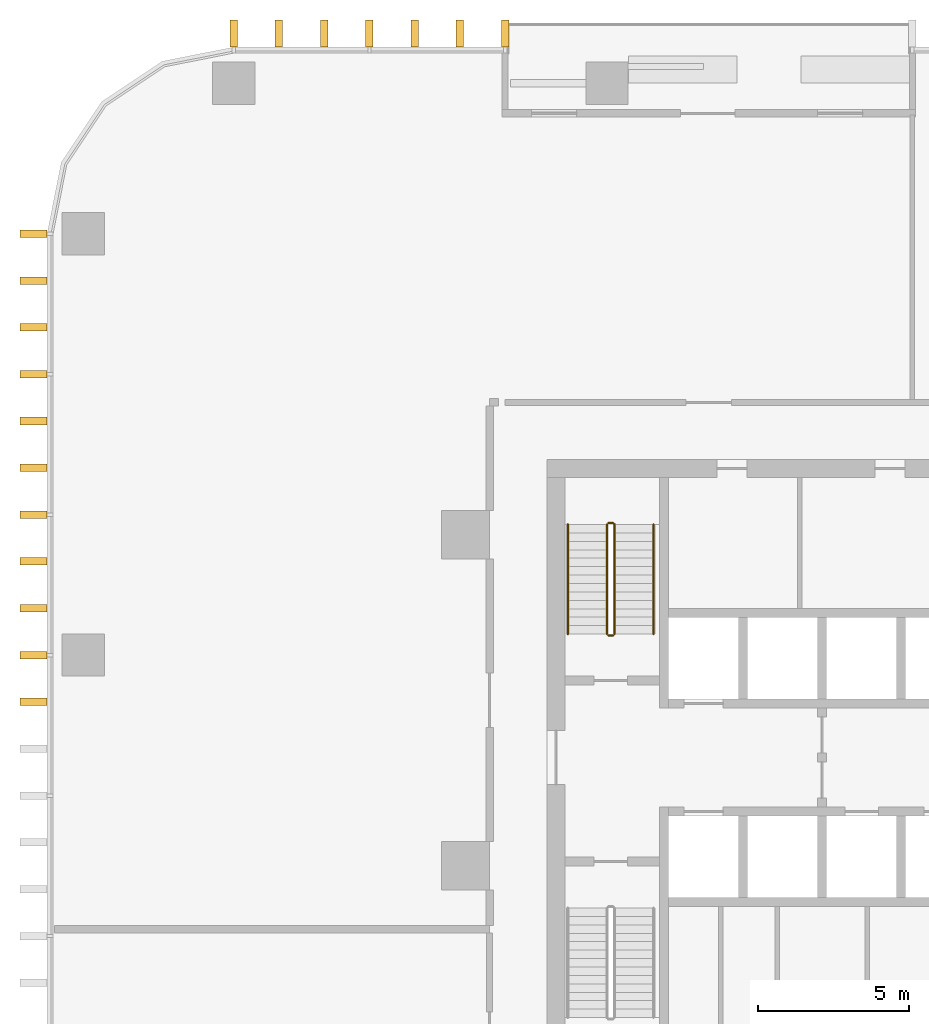
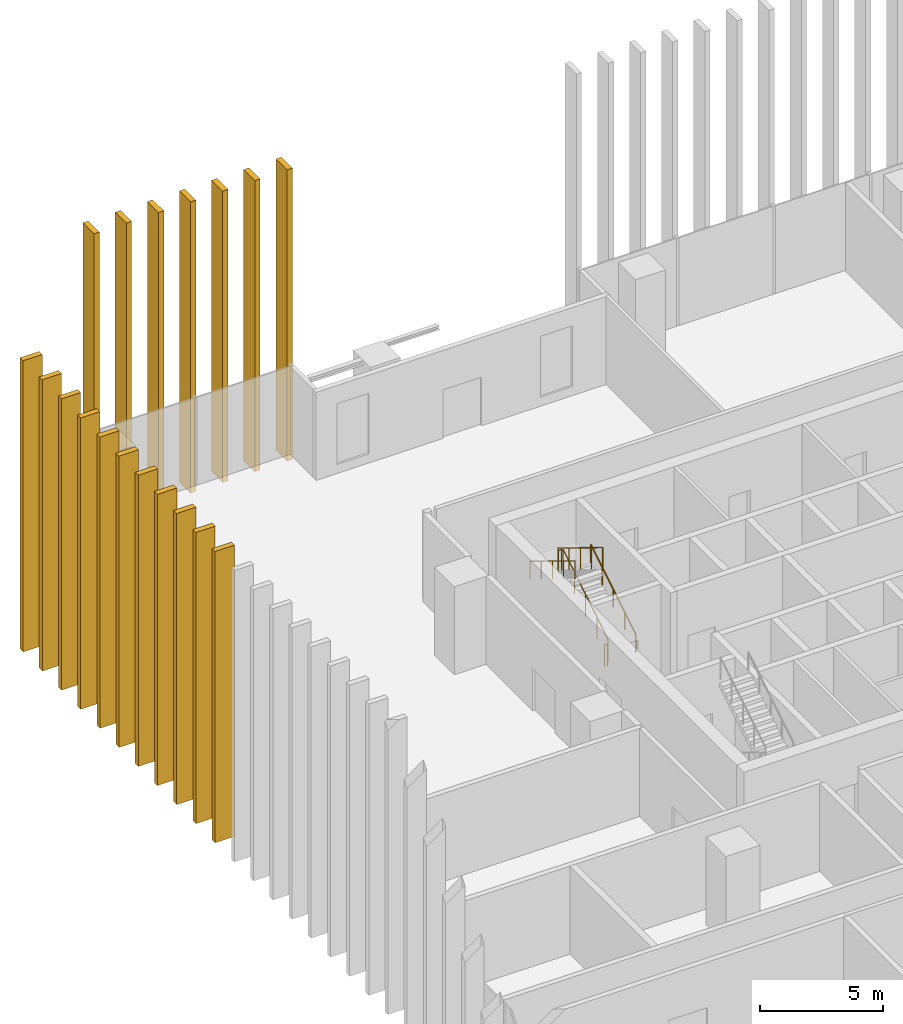
# One storey, part 14 of 16: 18 shading devices, 5 railings.
"""IFC4 building model written with IfcOpenShell, lengths in metres."""

from ifc_helpers import new_model, si_unit, direction, frame, origin, origin_2d, place, context, subcontext, project, spatial, rectangle, circle, extrude, material, type_object, element, save


model = new_model("IFC4")

# Units and contexts
model_context = context("Model", 3, precision=1e-05, world=origin(), true_north=direction((0.0, 1.0)))
body_context = subcontext(model_context, "Body", "Model", "MODEL_VIEW")
ifc_project = project(units=[si_unit("LENGTHUNIT", "METRE"), si_unit("AREAUNIT", "SQUARE_METRE"), si_unit("VOLUMEUNIT", "CUBIC_METRE"), si_unit("PLANEANGLEUNIT", "RADIAN"), si_unit("MASSUNIT", "GRAM", prefix="KILO")], contexts=[model_context])

# Site, building, storey
site_placement = place(None, origin())
site = spatial("IfcSite", under=ifc_project, at=site_placement, CompositionType="ELEMENT")
building_placement = place(site_placement, origin())
building = spatial("IfcBuilding", under=site, at=building_placement, Name="Mopane Tessera Tower", CompositionType="ELEMENT")
storey_placement = place(building_placement, frame((0.0, 0.0, 59.800048828125)))
storey = spatial("IfcBuildingStorey", under=building, at=storey_placement, Name="L11", CompositionType="ELEMENT", Elevation=59.800048828125)

# Shading devices
ifc_material_1 = material(Name="Glazed ceramic tile")
shading_device_type = type_object("IfcShadingDeviceType", Name="Ceramic tile fin 900 x 250 mm", PredefinedType="USERDEFINED", material=ifc_material_1)
for number, where, z_axis, x_axis, name in (
    (1, (-15.78173828125, 27.64990234375, -0.449951171875), (0.0, 0.0, 1.0), (-1.0, 0.0, 0.0), "e:fin:L11:N:9:0"),
    (2, (-17.284912109375, 27.64990234375, -0.449951171875), (0.0, 0.0, 1.0), (-1.0, 0.0, 0.0), "e:fin:L11:N:9:1"),
    (3, (-18.787841796875, 27.64990234375, -0.449951171875), (0.0, 0.0, 1.0), (-1.0, 0.0, 0.0), "e:fin:L11:N:9:2"),
    (4, (-20.291015625, 27.64990234375, -0.449951171875), (0.0, 0.0, 1.0), (-1.0, 0.0, 0.0), "e:fin:L11:N:10:0"),
    (5, (-21.7939453125, 27.64990234375, -0.449951171875), (0.0, 0.0, 1.0), (-1.0, 0.0, 0.0), "e:fin:L11:N:10:1"),
    (6, (-23.296875, 27.64990234375, -0.449951171875), (0.0, 0.0, 1.0), (-1.0, 0.0, 0.0), "e:fin:L11:N:10:2"),
    (7, (-24.800048828125, 27.64990234375, -0.449951171875), (0.0, 0.0, 1.0), (-1.0, 0.0, 0.0), "e:fin:L11:N:10:3"),
    (8, (-31.449951171875, 21.0, -0.449951171875), (0.0, 0.0, 1.0), (0.0, -1.0, 0.0), "e:fin:L11:W:0:0"),
    (9, (-31.449951171875, 19.4443359375, -0.449951171875), (0.0, 0.0, 1.0), (0.0, -1.0, 0.0), "e:fin:L11:W:0:1"),
    (10, (-31.449951171875, 17.888916015625, -0.449951171875), (0.0, 0.0, 1.0), (0.0, -1.0, 0.0), "e:fin:L11:W:0:2"),
    (11, (-31.449951171875, 16.333251953125, -0.449951171875), (0.0, 0.0, 1.0), (0.0, -1.0, 0.0), "e:fin:L11:W:1:0"),
    (12, (-31.449951171875, 14.77783203125, -0.449951171875), (0.0, 0.0, 1.0), (0.0, -1.0, 0.0), "e:fin:L11:W:1:1"),
    (13, (-31.449951171875, 13.22216796875, -0.449951171875), (0.0, 0.0, 1.0), (0.0, -1.0, 0.0), "e:fin:L11:W:1:2"),
    (14, (-31.449951171875, 11.666748046875, -0.449951171875), (0.0, 0.0, 1.0), (0.0, -1.0, 0.0), "e:fin:L11:W:2:0"),
    (15, (-31.449951171875, 10.111083984375, -0.449951171875), (0.0, 0.0, 1.0), (0.0, -1.0, 0.0), "e:fin:L11:W:2:1"),
    (16, (-31.449951171875, 8.5556640625, -0.449951171875), (0.0, 0.0, 1.0), (0.0, -1.0, 0.0), "e:fin:L11:W:2:2"),
    (17, (-31.449951171875, 7.0, -0.449951171875), (0.0, 0.0, 1.0), (0.0, -1.0, 0.0), "e:fin:L11:W:3:0"),
    (18, (-31.449951171875, 5.4443359375, -0.449951171875), (0.0, 0.0, 1.0), (0.0, -1.0, 0.0), "e:fin:L11:W:3:1"),
):
    element("IfcShadingDevice", number, at=place(storey_placement, frame(where, z_axis=z_axis, x_axis=x_axis)), inside=storey, type_object=shading_device_type, Name=name, ObjectType="FIN", PredefinedType="USERDEFINED", context=body_context, shape_type="SweptSolid", body=[
        extrude(rectangle(XDim=0.25, YDim=0.89990234375, at=origin_2d()), origin(), (0.0, 0.0, 1.0), 14.39990234375),
    ])

# Railings
ifc_material_2 = material(Name="Powder-coated steel balustrade", Category="steel")
railing_type_1 = type_object("IfcRailingType", Name="Escape stair guard 1100 mm", PredefinedType="GUARDRAIL", material=ifc_material_2)
railing_1_placement = place(storey_placement, frame((-12.14990234375, 7.699951171875, 0.17138671875)))
element("IfcRailing", 19, at=railing_1_placement, inside=storey, type_object=railing_type_1, Name="L11 ST2 stair guard 1", PredefinedType="GUARDRAIL", context=body_context, shape_type="SweptSolid", body=[
    extrude(circle(Radius=0.02392578125, at=origin_2d()), frame((0.0, 0.0, 1.076171875), z_axis=(0.0, 0.852865859571, 0.52213008492), x_axis=(-1.0, 0.0, 0.0)), (0.0, 0.0, 1.0), 4.26806640625),
    extrude(circle(Radius=0.02392578125, at=origin_2d()), frame((0.0, 3.64013671875, 3.3046875), z_axis=(-0.708833529934, 0.705375805398, 0.0), x_axis=(-0.705375805398, -0.708833529934, 0.0)), (0.0, 0.0, 1.0), 0.070556640625),
    extrude(circle(Radius=0.02392578125, at=origin_2d()), frame((-0.050048828125, 3.68994140625, 3.3046875), z_axis=(-1.0, 0.0, 0.0), x_axis=(0.0, -1.0, 0.0)), (0.0, 0.0, 1.0), 0.150146484375),
    extrude(circle(Radius=0.02099609375, at=origin_2d()), origin(), (0.0, 0.0, 1.0), 1.052001953125),
    extrude(circle(Radius=0.02099609375, at=origin_2d()), frame((0.0, 0.91015625, 0.55712890625)), (0.0, 0.0, 1.0), 1.052001953125),
    extrude(circle(Radius=0.02099609375, at=origin_2d()), frame((0.0, 1.820068359375, 1.1142578125)), (0.0, 0.0, 1.0), 1.052001953125),
    extrude(circle(Radius=0.02099609375, at=origin_2d()), frame((0.0, 2.72998046875, 1.67138671875)), (0.0, 0.0, 1.0), 1.052001953125),
    extrude(circle(Radius=0.02099609375, at=origin_2d()), frame((0.0, 3.64013671875, 2.228515625)), (0.0, 0.0, 1.0), 1.052001953125),
    extrude(circle(Radius=0.02099609375, at=origin_2d()), frame((-0.050048828125, 3.68994140625, 2.228515625)), (0.0, 0.0, 1.0), 1.052001953125),
    extrude(circle(Radius=0.02099609375, at=origin_2d()), frame((-0.2001953125, 3.68994140625, 2.228515625)), (0.0, 0.0, 1.0), 1.052001953125),
])
railing_2_placement = place(storey_placement, frame((-12.39990234375, 11.340087890625, 2.5712890625)))
element("IfcRailing", 20, at=railing_2_placement, inside=storey, type_object=railing_type_1, Name="L11 ST2 stair guard 2", PredefinedType="GUARDRAIL", context=body_context, shape_type="SweptSolid", body=[
    extrude(circle(Radius=0.02392578125, at=origin_2d()), frame((0.0, 0.0, 1.076171875), z_axis=(0.0, -0.852840387347, 0.522171689878), x_axis=(1.0, 0.0, 0.0)), (0.0, 0.0, 1.0), 4.268310546875),
    extrude(circle(Radius=0.02099609375, at=origin_2d()), origin(), (0.0, 0.0, 1.0), 1.052001953125),
    extrude(circle(Radius=0.02099609375, at=origin_2d()), frame((0.0, -0.91015625, 0.55712890625)), (0.0, 0.0, 1.0), 1.052001953125),
    extrude(circle(Radius=0.02099609375, at=origin_2d()), frame((0.0, -1.820068359375, 1.1142578125)), (0.0, 0.0, 1.0), 1.052001953125),
    extrude(circle(Radius=0.02099609375, at=origin_2d()), frame((0.0, -2.72998046875, 1.671630859375)), (0.0, 0.0, 1.0), 1.052001953125),
    extrude(circle(Radius=0.02099609375, at=origin_2d()), frame((0.0, -3.64013671875, 2.228759765625)), (0.0, 0.0, 1.0), 1.052001953125),
])
railing_3_placement = place(storey_placement, frame((-12.199951171875, 7.64990234375, 0.0)))
element("IfcRailing", 21, at=railing_3_placement, inside=storey, type_object=railing_type_1, Name="L11 ST2 stair guard 3", PredefinedType="GUARDRAIL", context=body_context, shape_type="SweptSolid", body=[
    extrude(circle(Radius=0.02392578125, at=origin_2d()), frame((0.0, 0.0, 1.076171875), z_axis=(-1.0, 0.0, 0.0), x_axis=(0.0, -1.0, 0.0)), (0.0, 0.0, 1.0), 0.150146484375),
    extrude(circle(Radius=0.02099609375, at=origin_2d()), origin(), (0.0, 0.0, 1.0), 1.052001953125),
    extrude(circle(Radius=0.02099609375, at=origin_2d()), frame((-0.150146484375, 0.0, 0.0)), (0.0, 0.0, 1.0), 1.052001953125),
])
ifc_material_3 = material(Name="Powder-coated steel balustrade", Category="steel")
railing_type_2 = type_object("IfcRailingType", Name="Escape stair handrail 900 mm", PredefinedType="HANDRAIL", material=ifc_material_3)
railing_4_placement = place(storey_placement, frame((-10.85009765625, 7.699951171875, 0.17138671875)))
element("IfcRailing", 22, at=railing_4_placement, inside=storey, type_object=railing_type_2, Name="L11 ST2 stair handrail 1", PredefinedType="HANDRAIL", context=body_context, shape_type="SweptSolid", body=[
    extrude(circle(Radius=0.02392578125, at=origin_2d()), frame((0.0, 0.0, 0.8759765625), z_axis=(0.0, 0.852865859571, 0.52213008492), x_axis=(-1.0, 0.0, 0.0)), (0.0, 0.0, 1.0), 4.26806640625),
    extrude(circle(Radius=0.02099609375, at=origin_2d()), origin(), (0.0, 0.0, 1.0), 0.851806640625),
    extrude(circle(Radius=0.02099609375, at=origin_2d()), frame((0.0, 0.91015625, 0.55712890625)), (0.0, 0.0, 1.0), 0.851806640625),
    extrude(circle(Radius=0.02099609375, at=origin_2d()), frame((0.0, 1.820068359375, 1.1142578125)), (0.0, 0.0, 1.0), 0.851806640625),
    extrude(circle(Radius=0.02099609375, at=origin_2d()), frame((0.0, 2.72998046875, 1.67138671875)), (0.0, 0.0, 1.0), 0.851806640625),
    extrude(circle(Radius=0.02099609375, at=origin_2d()), frame((0.0, 3.64013671875, 2.228515625)), (0.0, 0.0, 1.0), 0.851806640625),
])
railing_5_placement = place(storey_placement, frame((-13.699951171875, 11.340087890625, 2.5712890625)))
element("IfcRailing", 23, at=railing_5_placement, inside=storey, type_object=railing_type_2, Name="L11 ST2 stair handrail 2", PredefinedType="HANDRAIL", context=body_context, shape_type="SweptSolid", body=[
    extrude(circle(Radius=0.02392578125, at=origin_2d()), frame((0.0, 0.0, 0.8759765625), z_axis=(0.0, -0.852840387347, 0.522171689878), x_axis=(1.0, 0.0, 0.0)), (0.0, 0.0, 1.0), 4.268310546875),
    extrude(circle(Radius=0.02099609375, at=origin_2d()), origin(), (0.0, 0.0, 1.0), 0.851806640625),
    extrude(circle(Radius=0.02099609375, at=origin_2d()), frame((0.0, -0.91015625, 0.55712890625)), (0.0, 0.0, 1.0), 0.851806640625),
    extrude(circle(Radius=0.02099609375, at=origin_2d()), frame((0.0, -1.820068359375, 1.1142578125)), (0.0, 0.0, 1.0), 0.851806640625),
    extrude(circle(Radius=0.02099609375, at=origin_2d()), frame((0.0, -2.72998046875, 1.671630859375)), (0.0, 0.0, 1.0), 0.851806640625),
    extrude(circle(Radius=0.02099609375, at=origin_2d()), frame((0.0, -3.64013671875, 2.228759765625)), (0.0, 0.0, 1.0), 0.851806640625),
])

save(model, "model.ifc")
